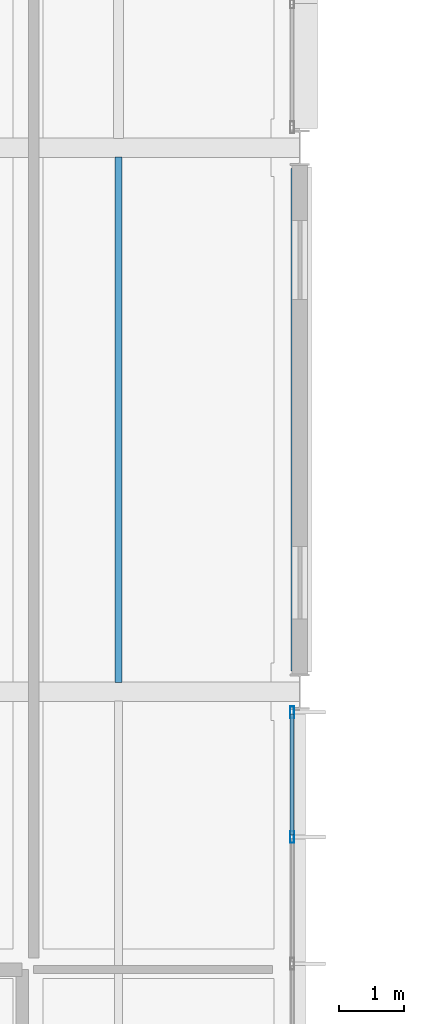
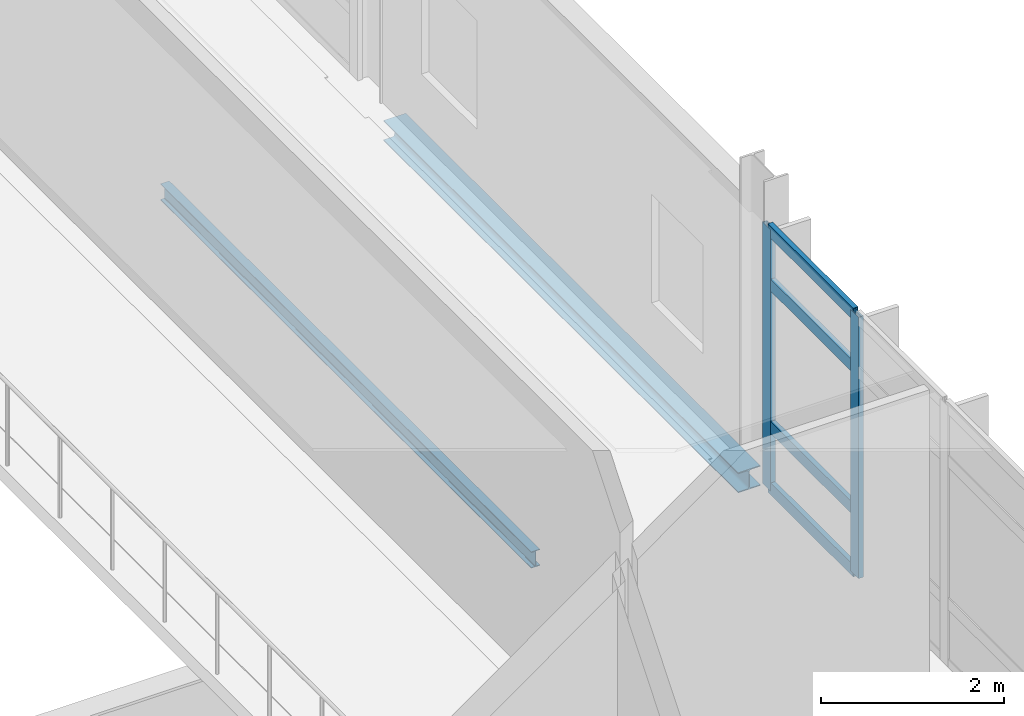
# One storey, part 36 of 151: 6 members, 2 beams, 1 element without a shape of its own.
"""IFC4 building model written with IfcOpenShell, lengths in metres."""

from ifc_helpers import new_model, si_unit, direction, frame, origin, origin_2d, place, context, subcontext, project, spatial, hollow_rectangle, i_section, extrude, material, material_profile, profile_set, type_object, element, aggregate, save


model = new_model("IFC4")

# Units and contexts
model_context = context("Model", 3, precision=1e-05, world=origin(), true_north=direction((0.0, 1.0)))
body_context = subcontext(model_context, "Body", "Model", "MODEL_VIEW")
ifc_project = project(units=[si_unit("LENGTHUNIT", "METRE"), si_unit("AREAUNIT", "SQUARE_METRE"), si_unit("VOLUMEUNIT", "CUBIC_METRE"), si_unit("PLANEANGLEUNIT", "RADIAN"), si_unit("MASSUNIT", "GRAM", prefix="KILO")], contexts=[model_context])

# Site, building, storey
site_placement = place(None, origin())
site = spatial("IfcSite", under=ifc_project, at=site_placement, CompositionType="ELEMENT")
building_placement = place(site_placement, origin())
building = spatial("IfcBuilding", under=site, at=building_placement, Name="Mersafa Astral City Hall", CompositionType="ELEMENT")
storey_placement = place(building_placement, frame((0.0, 0.0, 9.89990234375)))
storey = spatial("IfcBuildingStorey", under=building, at=storey_placement, Name="L02", CompositionType="ELEMENT", Elevation=9.89990234375)

# Curtain wall, members
ifc_material_1 = material(Name="Anodised bronze aluminium framing", Category="aluminium")
curtain_wall_type = type_object("IfcCurtainWallType", Name="ENV-CW-5", PredefinedType="USERDEFINED", material=ifc_material_1)
curtain_wall_placement = place(storey_placement, origin())
curtain_wall = element("IfcCurtainWall", 1, at=curtain_wall_placement, inside=storey, type_object=curtain_wall_type, Name="L02 Unitised solar curtain wall 112", ObjectType="UNITISED CURTAIN WALL", PredefinedType="USERDEFINED")
ifc_material_profile_1 = material_profile(ifc_material_1, hollow_rectangle(XDim=0.06005859375, YDim=0.179931640625, WallThickness=0.00390625, at=origin_2d()), Name="RHS 60x180x4")
ifc_profile_set_1 = profile_set([ifc_material_profile_1], Name="Anodised bronze aluminium framing")
member_type_1 = type_object("IfcMemberType", Name="ENV-CW-MUL-1", PredefinedType="MULLION", material=ifc_profile_set_1)
member_1_placement = place(storey_placement, frame((117.47998046875, 56.556396484375, -0.001953125), z_axis=(0.0, 0.0, 1.0), x_axis=(-1.0, 0.0, 0.0)))
member_1 = element("IfcMember", 2, at=member_1_placement, type_object=member_type_1, Name="CW-5 mullion 4", PredefinedType="MULLION", context=body_context, shape_type="SweptSolid", body=[
    extrude(hollow_rectangle(XDim=0.06005859375, YDim=0.179931640625, WallThickness=0.00390625, at=origin_2d()), origin(), (0.0, 0.0, 1.0), 3.489013671875),
])
member_2_placement = place(storey_placement, frame((117.47998046875, 58.48291015625, -0.001953125), z_axis=(0.0, 0.0, 1.0), x_axis=(-1.0, 0.0, 0.0)))
member_2 = element("IfcMember", 3, at=member_2_placement, type_object=member_type_1, Name="CW-5 mullion 5", PredefinedType="MULLION", context=body_context, shape_type="SweptSolid", body=[
    extrude(hollow_rectangle(XDim=0.06005859375, YDim=0.179931640625, WallThickness=0.00390625, at=origin_2d()), origin(), (0.0, 0.0, 1.0), 3.489013671875),
])
ifc_material_profile_2 = material_profile(ifc_material_1, hollow_rectangle(XDim=0.06005859375, YDim=0.159912109375, WallThickness=0.00390625, at=origin_2d()), Name="RHS 60x160x4")
ifc_profile_set_2 = profile_set([ifc_material_profile_2], Name="Anodised bronze aluminium framing")
member_type_2 = type_object("IfcMemberType", Name="ENV-CW-TRN-2", PredefinedType="USERDEFINED", material=ifc_profile_set_2)
member_3_placement = place(storey_placement, frame((117.47998046875, 56.58642578125, 0.028076171875), z_axis=(0.0, 1.0, 0.0), x_axis=(-1.0, 0.0, 0.0)))
member_3 = element("IfcMember", 4, at=member_3_placement, type_object=member_type_2, Name="CW-5 transom 4.1", ObjectType="TRANSOM", PredefinedType="USERDEFINED", context=body_context, shape_type="SweptSolid", body=[
    extrude(hollow_rectangle(XDim=0.06005859375, YDim=0.159912109375, WallThickness=0.00390625, at=origin_2d()), origin(), (0.0, 0.0, 1.0), 1.866455078125),
])
member_4_placement = place(storey_placement, frame((117.47998046875, 56.58642578125, 0.85009765625), z_axis=(0.0, 1.0, 0.0), x_axis=(-1.0, 0.0, 0.0)))
member_4 = element("IfcMember", 5, at=member_4_placement, type_object=member_type_2, Name="CW-5 transom 4.2", ObjectType="TRANSOM", PredefinedType="USERDEFINED", context=body_context, shape_type="SweptSolid", body=[
    extrude(hollow_rectangle(XDim=0.06005859375, YDim=0.159912109375, WallThickness=0.00390625, at=origin_2d()), origin(), (0.0, 0.0, 1.0), 1.866455078125),
])
member_5_placement = place(storey_placement, frame((117.47998046875, 56.58642578125, 2.75), z_axis=(0.0, 1.0, 0.0), x_axis=(-1.0, 0.0, 0.0)))
member_5 = element("IfcMember", 6, at=member_5_placement, type_object=member_type_2, Name="CW-5 transom 4.3", ObjectType="TRANSOM", PredefinedType="USERDEFINED", context=body_context, shape_type="SweptSolid", body=[
    extrude(hollow_rectangle(XDim=0.06005859375, YDim=0.159912109375, WallThickness=0.00390625, at=origin_2d()), origin(), (0.0, 0.0, 1.0), 1.866455078125),
])
member_6_placement = place(storey_placement, frame((117.47998046875, 56.58642578125, 3.45703125), z_axis=(0.0, 1.0, 0.0), x_axis=(-1.0, 0.0, 0.0)))
member_6 = element("IfcMember", 7, at=member_6_placement, type_object=member_type_2, Name="CW-5 transom 4.4", ObjectType="TRANSOM", PredefinedType="USERDEFINED", context=body_context, shape_type="SweptSolid", body=[
    extrude(hollow_rectangle(XDim=0.06005859375, YDim=0.159912109375, WallThickness=0.00390625, at=origin_2d()), origin(), (0.0, 0.0, 1.0), 1.866455078125),
])
aggregate(curtain_wall, [member_1, member_2, member_3, member_4, member_5, member_6])

# Beams
ifc_material_2 = material(Name="Steel S355", Category="steel")
ifc_material_profile_3 = material_profile(ifc_material_2, i_section(OverallWidth=0.110107421875, OverallDepth=0.219970703125, WebThickness=0.005859375, FlangeThickness=0.00927734375, FilletRadius=0.011962890625, at=origin_2d()), Name="IPE 220")
ifc_profile_set_3 = profile_set([ifc_material_profile_3], Name="Steel S355")
beam_type_1 = type_object("IfcBeamType", Name="STR-BM-JOIST-IPE220", PredefinedType="JOIST", material=ifc_profile_set_3)
beam_1_placement = place(storey_placement, frame((114.800048828125, 58.945068359375, -0.309814453125), z_axis=(0.0, 1.0, 0.0), x_axis=(-1.0, 0.0, 0.0)))
element("IfcBeam", 8, at=beam_1_placement, inside=storey, type_object=beam_type_1, Name="L02 Composite secondary floor joist 479", PredefinedType="JOIST", context=body_context, shape_type="SweptSolid", body=[
    extrude(i_section(OverallWidth=0.110107421875, OverallDepth=0.219970703125, WebThickness=0.005859375, FlangeThickness=0.00927734375, FilletRadius=0.011962890625, at=origin_2d()), origin(), (0.0, 0.0, 1.0), 8.10986328125),
])
ifc_material_profile_4 = material_profile(ifc_material_2, i_section(OverallWidth=0.280029296875, OverallDepth=0.27001953125, WebThickness=0.008056640625, FlangeThickness=0.012939453125, FilletRadius=0.02392578125, at=origin_2d()), Name="HEA 280")
ifc_profile_set_4 = profile_set([ifc_material_profile_4], Name="Steel S355")
beam_type_2 = type_object("IfcBeamType", Name="STR-BM-SPANDREL-HEA280", PredefinedType="SPANDREL", material=ifc_profile_set_4)
beam_2_placement = place(storey_placement, frame((117.60009765625, 59.1201171875, -0.3349609375), z_axis=(0.0, 1.0, 0.0), x_axis=(-1.0, 0.0, 0.0)))
element("IfcBeam", 9, at=beam_2_placement, inside=storey, type_object=beam_type_2, Name="L02 Primary girder Y 14-7", PredefinedType="SPANDREL", context=body_context, shape_type="SweptSolid", body=[
    extrude(i_section(OverallWidth=0.280029296875, OverallDepth=0.27001953125, WebThickness=0.008056640625, FlangeThickness=0.012939453125, FilletRadius=0.02392578125, at=origin_2d()), origin(), (0.0, 0.0, 1.0), 7.759765625),
])

save(model, "model.ifc")
